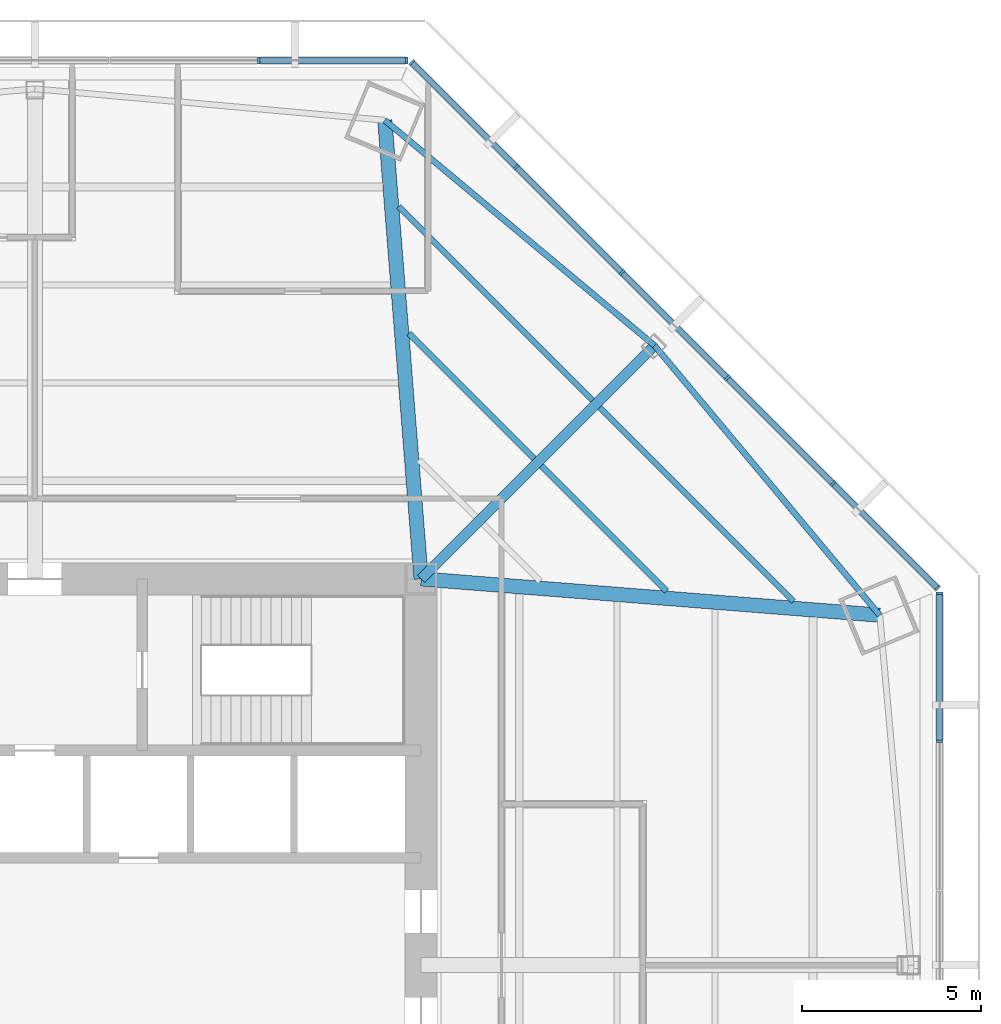
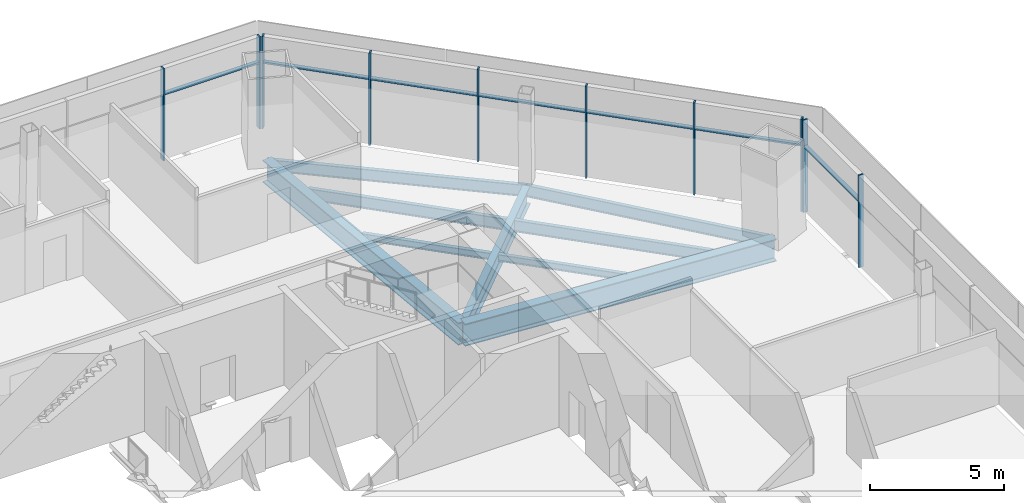
# One storey, part 7 of 16: 17 members, 9 beams, 3 elements without a shape of their own.
"""IFC4 building model written with IfcOpenShell, lengths in metres."""

import ifcopenshell
import ifcopenshell.guid

model = None  # the IFC model being written
_history = None  # IfcOwnerHistory: only IFC2X3 demands one
_inside = {}  # id of a spatial element -> (the spatial element, [elements in it])
_under = {}  # id of a project, library or spatial element -> (it, [spatial elements below it])
_declared = {}  # id of a project -> (the project, [libraries it declares])
_typed = {}  # id of a type object -> (the type object, [elements of that type])
_made_of = {}  # id of a material, layer set ... -> (it, [elements and type objects made of it])


def new_model(schema):
    """Start an empty IFC model of exactly this schema.

    Asked for "IFC4X3", IfcOpenShell would pick the latest addendum, in which some entities
    have other attributes; the version numbers below select the first issue.
    IFC2X3 requires an IfcOwnerHistory on every rooted entity: one is made here for all.
    """
    global model, _history
    if schema == "IFC4X3":
        model = ifcopenshell.file(schema_version=(4, 3, 0, 0))
    else:
        model = ifcopenshell.file(schema=schema)
    _inside.clear()
    _under.clear()
    _declared.clear()
    _typed.clear()
    _made_of.clear()
    _history = None
    if model.schema == "IFC2X3":
        org = make("IfcOrganization", Name="unknown")
        user = make(
            "IfcPersonAndOrganization",
            ThePerson=make("IfcPerson", FamilyName="unknown"),
            TheOrganization=org,
        )
        app = make(
            "IfcApplication",
            ApplicationDeveloper=org,
            Version="unknown",
            ApplicationFullName="unknown",
            ApplicationIdentifier="unknown",
        )
        _history = make(
            "IfcOwnerHistory",
            OwningUser=user,
            OwningApplication=app,
            ChangeAction="ADDED",
            CreationDate=0,
        )
    return model


def make(cls, **values):
    """One entity of the class cls with the attributes given. An attribute that is None is left unset."""
    return model.create_entity(
        cls, **{name: value for name, value in values.items() if value is not None}
    )


def rooted(cls, **values):
    """An entity with a GlobalId (a new one), such as an element, a storey or a relation."""
    return make(cls, GlobalId=ifcopenshell.guid.new(), OwnerHistory=_history, **values)


def si_unit(unit_type, name, prefix=None):
    """IfcSIUnit, for example si_unit("LENGTHUNIT", "METRE", prefix="MILLI")."""
    return make("IfcSIUnit", UnitType=unit_type, Prefix=prefix, Name=name)


def assignment(units):
    """IfcUnitAssignment: the units of a project."""
    return None if units is None else make("IfcUnitAssignment", Units=units)


def point(xyz):
    """IfcCartesianPoint."""
    return None if xyz is None else make("IfcCartesianPoint", Coordinates=xyz)


def direction(xyz):
    """IfcDirection."""
    return None if xyz is None else make("IfcDirection", DirectionRatios=xyz)


def frame(location, z_axis=None, x_axis=None):
    """IfcAxis2Placement3D, a coordinate frame: its origin and axes. An axis left out is left unset."""
    return make(
        "IfcAxis2Placement3D",
        Location=point(location),
        Axis=direction(z_axis),
        RefDirection=direction(x_axis),
    )


def frame_2d(location, x_axis=None):
    """IfcAxis2Placement2D, a coordinate frame in the plane: its origin and x axis."""
    return make(
        "IfcAxis2Placement2D", Location=point(location), RefDirection=direction(x_axis)
    )


def origin():
    """The frame at (0, 0, 0) with its axes left unset."""
    return frame((0.0, 0.0, 0.0))


def origin_2d():
    """The frame at (0, 0) in the plane with its x axis left unset."""
    return frame_2d((0.0, 0.0))


def place(relative_to, where):
    """IfcLocalPlacement: puts the frame where relative to a parent placement (None: the world)."""
    return make(
        "IfcLocalPlacement", PlacementRelTo=relative_to, RelativePlacement=where
    )


def context(
    kind, dimensions, precision=None, world=None, true_north=None, identifier=None
):
    """IfcGeometricRepresentationContext, for example the 3D "Model" context."""
    return make(
        "IfcGeometricRepresentationContext",
        ContextIdentifier=identifier,
        ContextType=kind,
        CoordinateSpaceDimension=dimensions,
        Precision=precision,
        WorldCoordinateSystem=world,
        TrueNorth=true_north,
    )


def subcontext(parent, identifier, kind, view, scale=None):
    """IfcGeometricRepresentationSubContext, for example "Body" below "Model"."""
    return make(
        "IfcGeometricRepresentationSubContext",
        ContextIdentifier=identifier,
        ContextType=kind,
        ParentContext=parent,
        TargetScale=scale,
        TargetView=view,
    )


def project(units=None, contexts=None):
    """IfcProject with its units and contexts."""
    return rooted(
        "IfcProject",
        Name="project",
        RepresentationContexts=contexts,
        UnitsInContext=assignment(units),
    )


def spatial(cls, under=None, at=None, **own):
    """A site, building, storey or space (cls), placed at a placement, below another one or the project."""
    s = rooted(cls, ObjectPlacement=at, **own)
    if under is not None:
        _under.setdefault(under.id(), (under, []))[1].append(s)
    return s


def profile(cls, at=None, kind="AREA", **sizes):
    """A parametric profile (cls). Its sizes go by their IFC names, for example OverallWidth=200.0."""
    return make(cls, ProfileType=kind, Position=at, **sizes)


def rectangle(**sizes):
    """IfcRectangleProfileDef."""
    return profile("IfcRectangleProfileDef", **sizes)


def i_section(**sizes):
    """IfcIShapeProfileDef."""
    return profile("IfcIShapeProfileDef", **sizes)


def extrude(swept, where, along, depth):
    """IfcExtrudedAreaSolid: the profile swept, set in the frame where, extruded along a direction by depth."""
    return make(
        "IfcExtrudedAreaSolid",
        SweptArea=swept,
        Position=where,
        ExtrudedDirection=direction(along),
        Depth=depth,
    )


def shape(context_of_items, identifier, shape_type, items):
    """IfcShapeRepresentation: the items that make up one representation, for example the "Body"."""
    return make(
        "IfcShapeRepresentation",
        ContextOfItems=context_of_items,
        RepresentationIdentifier=identifier,
        RepresentationType=shape_type,
        Items=items,
    )


def source(mapping_origin, context_of_items, identifier, shape_type, items):
    """IfcRepresentationMap: a shape defined once, which mapped items show again and again."""
    return make(
        "IfcRepresentationMap",
        MappingOrigin=mapping_origin,
        MappedRepresentation=shape(context_of_items, identifier, shape_type, items),
    )


def transform(
    local_origin,
    x_axis=None,
    y_axis=None,
    z_axis=None,
    scale=None,
    scale2=None,
    scale3=None,
    uniform=True,
):
    """IfcCartesianTransformationOperator3D, or its non-uniform kind. x_axis, y_axis, z_axis: its Axis1, 2, 3."""
    if uniform:
        return make(
            "IfcCartesianTransformationOperator3D",
            Axis1=direction(x_axis),
            Axis2=direction(y_axis),
            LocalOrigin=point(local_origin),
            Scale=scale,
            Axis3=direction(z_axis),
        )
    return make(
        "IfcCartesianTransformationOperator3DnonUniform",
        Axis1=direction(x_axis),
        Axis2=direction(y_axis),
        LocalOrigin=point(local_origin),
        Scale=scale,
        Axis3=direction(z_axis),
        Scale2=scale2,
        Scale3=scale3,
    )


def mapped(mapping_source, mapping_target):
    """IfcMappedItem: shows the shape of a source again, moved by a transform."""
    return make(
        "IfcMappedItem", MappingSource=mapping_source, MappingTarget=mapping_target
    )


def material(Name=None, Category=None):
    """IfcMaterial."""
    return make("IfcMaterial", Name=Name, Category=Category)


def material_profile(
    of_material, cross_section, Name=None, Category=None, Priority=None
):
    """IfcMaterialProfile: a cross section and its material."""
    return make(
        "IfcMaterialProfile",
        Name=Name,
        Material=of_material,
        Profile=cross_section,
        Priority=Priority,
        Category=Category,
    )


def profile_set(profiles, Name=None, composite=None):
    """IfcMaterialProfileSet."""
    return make(
        "IfcMaterialProfileSet",
        Name=Name,
        MaterialProfiles=profiles,
        CompositeProfile=composite,
    )


def made_of(thing, what):
    """Note that an element or type object is made of a material, layer set ...; save() writes the relation."""
    if what is not None:
        _made_of.setdefault(what.id(), (what, []))[1].append(thing)
    return thing


def type_object(cls, material=None, **own):
    """A type object (cls), such as IfcWallType, which elements share."""
    return made_of(rooted(cls, **own), material)


def type_shapes(of_type, sources):
    """Give a type object the sources (RepresentationMaps) that its elements show as mapped items."""
    of_type.RepresentationMaps = sources


def element(
    cls,
    number,
    at=None,
    inside=None,
    cuts=None,
    type_object=None,
    material=None,
    context=None,
    identifier="Body",
    shape_type=None,
    held_by="IfcProductDefinitionShape",
    body=None,
    shapes=None,
    **own,
):
    """One element of the class cls, such as IfcWall. Its Tag is "e" and its number.

    at: its placement. inside: the storey or other place that contains it. cuts: it is an
    opening in that element (IfcRelVoidsElement). A single representation is given by context,
    identifier, shape_type and body (its items); several are given by shapes. held_by: the class
    of the entity that holds the representations. save() writes the other relations.
    """
    e = rooted(cls, Tag="e%d" % number, ObjectPlacement=at, **own)
    if body is not None:
        shapes = [shape(context, identifier, shape_type, body)]
    if shapes is not None:
        e.Representation = make(held_by, Representations=shapes)
    if inside is not None:
        _inside.setdefault(inside.id(), (inside, []))[1].append(e)
    if cuts is not None:
        rooted(
            "IfcRelVoidsElement", RelatingBuildingElement=cuts, RelatedOpeningElement=e
        )
    if type_object is not None:
        _typed.setdefault(type_object.id(), (type_object, []))[1].append(e)
    return made_of(e, material)


def aggregate(whole, parts):
    """IfcRelAggregates: a whole, such as a stair, and the parts it consists of."""
    return rooted("IfcRelAggregates", RelatingObject=whole, RelatedObjects=parts)


def save(model, path):
    """Write the relations noted so far, then the file.

    IfcRelAggregates (storeys below a building ...), IfcRelContainedInSpatialStructure (elements
    in a storey), IfcRelDefinesByType, IfcRelAssociatesMaterial and IfcRelDeclares: one each for
    every whole, place, type object, material and project.
    """
    for whole, parts in _under.values():
        aggregate(whole, parts)
    for where, things in _inside.values():
        rooted(
            "IfcRelContainedInSpatialStructure",
            RelatedElements=things,
            RelatingStructure=where,
        )
    for kind, things in _typed.values():
        rooted("IfcRelDefinesByType", RelatedObjects=things, RelatingType=kind)
    for what, things in _made_of.values():
        rooted("IfcRelAssociatesMaterial", RelatedObjects=things, RelatingMaterial=what)
    for by, libraries in _declared.values():
        rooted("IfcRelDeclares", RelatingContext=by, RelatedDefinitions=libraries)
    model.write(path)


model = new_model("IFC4")

# Units and contexts
model_context = context("Model", 3, precision=1e-05, world=origin(), true_north=direction((0.0, 1.0)))
body_context = subcontext(model_context, "Body", "Model", "MODEL_VIEW")
ifc_project = project(units=[si_unit("LENGTHUNIT", "METRE"), si_unit("AREAUNIT", "SQUARE_METRE"), si_unit("VOLUMEUNIT", "CUBIC_METRE"), si_unit("PLANEANGLEUNIT", "RADIAN"), si_unit("MASSUNIT", "GRAM", prefix="KILO")], contexts=[model_context])

# Site, building, storey
site_placement = place(None, origin())
site = spatial("IfcSite", under=ifc_project, at=site_placement, CompositionType="ELEMENT")
building_placement = place(site_placement, origin())
building = spatial("IfcBuilding", under=site, at=building_placement, Name="Mashrafa Tower", CompositionType="ELEMENT")
storey_placement = place(building_placement, frame((0.0, 0.0, 96.0)))
storey = spatial("IfcBuildingStorey", under=building, at=storey_placement, Name="L21", CompositionType="ELEMENT", Elevation=96.0)

# Beams
ifc_material_1 = material(Name="Steel ASTM A992", Category="steel")
ifc_material_profile_1 = material_profile(ifc_material_1, i_section(OverallWidth=0.164794921875, OverallDepth=0.309814453125, WebThickness=0.005859375, FlangeThickness=0.009765625, FilletRadius=0.007568359375, at=origin_2d()), Name="W12X26")
ifc_profile_set_1 = profile_set([ifc_material_profile_1], Name="Steel ASTM A992")
beam_type_1 = type_object("IfcBeamType", Name="Beam W12X26", PredefinedType="BEAM", material=ifc_profile_set_1)
for number, where, z_axis, x_axis, name in (
    (1, (10.458251953125, 17.66845703125, -0.31982421875), (0.707131429789, -0.707082131725, 0.0), (0.707082131725, 0.707131429789, 0.0), "Floor beam L21 036"),
    (2, (14.166748046875, 13.960205078125, -0.31982421875), (0.707082131725, -0.707131429789, 0.0), (0.707131429789, 0.707082131725, 0.0), "Floor beam L21 045"),
):
    element("IfcBeam", number, at=place(storey_placement, frame(where, z_axis=z_axis, x_axis=x_axis)), inside=storey, type_object=beam_type_1, Name=name, PredefinedType="BEAM", context=body_context, shape_type="SweptSolid", body=[
        extrude(i_section(OverallWidth=0.164794921875, OverallDepth=0.309814453125, WebThickness=0.005859375, FlangeThickness=0.009765625, FilletRadius=0.007568359375, at=origin_2d()), origin(), (0.0, 0.0, 1.0), 4.952392578125),
    ])
ifc_material_2 = material(Name="Steel ASTM A992", Category="steel")
ifc_material_profile_2 = material_profile(ifc_material_2, i_section(OverallWidth=0.165771484375, OverallDepth=0.5283203125, WebThickness=0.009765625, FlangeThickness=0.013671875, FilletRadius=0.012939453125, at=origin_2d()), Name="W21X50")
ifc_profile_set_2 = profile_set([ifc_material_profile_2], Name="Steel ASTM A992")
beam_type_2 = type_object("IfcBeamType", Name="Beam W21X50", PredefinedType="BEAM", material=ifc_profile_set_2)
for number, where, z_axis, x_axis, name in (
    (3, (10.177978515625, 21.2119140625, -0.42919921875), (0.707122725149, -0.707090836864, 0.0), (0.707090836864, 0.707122725149, 0.0), "Floor beam L21 034"),
    (4, (15.79833984375, 15.591796875, -0.42919921875), (0.707090836864, -0.707122725149, 0.0), (0.707122725149, 0.707090836864, 0.0), "Floor beam L21 048"),
):
    element("IfcBeam", number, at=place(storey_placement, frame(where, z_axis=z_axis, x_axis=x_axis)), inside=storey, type_object=beam_type_2, Name=name, PredefinedType="BEAM", context=body_context, shape_type="SweptSolid", body=[
        extrude(i_section(OverallWidth=0.165771484375, OverallDepth=0.5283203125, WebThickness=0.009765625, FlangeThickness=0.013671875, FilletRadius=0.012939453125, at=origin_2d()), origin(), (0.0, 0.0, 1.0), 7.656005859375),
    ])
for number, where, z_axis, x_axis, name in (
    (5, (17.32666015625, 17.32666015625, -0.42919921875), (-0.76747736109, 0.641076048698, 0.0), (-0.641076048698, -0.76747736109, 0.0), "Spandrel beam L21 085"),
    (6, (23.62548828125, 9.785888671875, -0.42919921875), (-0.641076048698, 0.76747736109, 0.0), (-0.76747736109, -0.641076048698, 0.0), "Spandrel beam L21 087"),
):
    element("IfcBeam", number, at=place(storey_placement, frame(where, z_axis=z_axis, x_axis=x_axis)), inside=storey, type_object=beam_type_2, Name=name, PredefinedType="BEAM", context=body_context, shape_type="SweptSolid", body=[
        extrude(i_section(OverallWidth=0.165771484375, OverallDepth=0.5283203125, WebThickness=0.009765625, FlangeThickness=0.013671875, FilletRadius=0.012939453125, at=origin_2d()), origin(), (0.0, 0.0, 1.0), 9.825439453125),
    ])
ifc_material_3 = material(Name="Steel ASTM A992", Category="steel")
ifc_material_profile_3 = material_profile(ifc_material_3, i_section(OverallWidth=0.2919921875, OverallDepth=0.845703125, WebThickness=0.015380859375, FlangeThickness=0.0244140625, FilletRadius=0.017333984375, at=origin_2d()), Name="W33X141")
ifc_profile_set_3 = profile_set([ifc_material_profile_3], Name="Steel ASTM A992")
beam_type_3 = type_object("IfcBeamType", Name="Beam W33X141", PredefinedType="BEAM", material=ifc_profile_set_3)
beam_placement = place(storey_placement, frame((10.800048828125, 10.800048828125, -0.587890625), z_axis=(0.707106781187, 0.707106781187, 0.0), x_axis=(-0.707106781187, 0.707106781187, 0.0)))
element("IfcBeam", 7, at=beam_placement, inside=storey, type_object=beam_type_3, Name="Radial girder L21 071", PredefinedType="BEAM", context=body_context, shape_type="SweptSolid", body=[
    extrude(i_section(OverallWidth=0.2919921875, OverallDepth=0.845703125, WebThickness=0.015380859375, FlangeThickness=0.0244140625, FilletRadius=0.017333984375, at=origin_2d()), origin(), (0.0, 0.0, 1.0), 9.22998046875),
])
ifc_material_4 = material(Name="Steel ASTM A992", Category="steel")
ifc_material_profile_4 = material_profile(ifc_material_4, i_section(OverallWidth=0.4013671875, OverallDepth=1.010986328125, WebThickness=0.023681640625, FlangeThickness=0.0419921875, FilletRadius=0.02001953125, at=origin_2d()), Name="W40X297")
ifc_profile_set_4 = profile_set([ifc_material_profile_4], Name="Steel ASTM A992")
beam_type_4 = type_object("IfcBeamType", Name="Beam W40X297", PredefinedType="BEAM", material=ifc_profile_set_4)
for number, where, z_axis, x_axis, name in (
    (8, (10.800048828125, 10.800048828125, -0.67041015625), (-0.078828045218, 0.996888228081, 0.0), (-0.996888228081, -0.078828045218, 0.0), "Radial girder L21 070"),
    (9, (10.800048828125, 10.800048828125, -0.67041015625), (0.996888228081, -0.078828045218, 0.0), (0.078828045218, 0.996888228081, 0.0), "Radial girder L21 072"),
):
    element("IfcBeam", number, at=place(storey_placement, frame(where, z_axis=z_axis, x_axis=x_axis)), inside=storey, type_object=beam_type_4, Name=name, PredefinedType="BEAM", context=body_context, shape_type="SweptSolid", body=[
        extrude(i_section(OverallWidth=0.4013671875, OverallDepth=1.010986328125, WebThickness=0.023681640625, FlangeThickness=0.0419921875, FilletRadius=0.02001953125, at=origin_2d()), origin(), (0.0, 0.0, 1.0), 12.865478515625),
    ])

# Curtain wall, members
ifc_material_5 = material(Name="Unitised aluminium curtain wall", Category="aluminium")
curtain_wall_type = type_object("IfcCurtainWallType", Name="Office curtain wall, zone 1 CW-A 200 deep", PredefinedType="NOTDEFINED", material=ifc_material_5)
curtain_wall_1_placement = place(storey_placement, origin())
curtain_wall_1 = element("IfcCurtainWall", 10, at=curtain_wall_1_placement, inside=storey, type_object=curtain_wall_type, Name="Office curtain wall, zone 1 L21 east", PredefinedType="NOTDEFINED")
ifc_material_6 = material(Name="Extruded aluminium mullion", Category="aluminium")
ifc_material_profile_5 = material_profile(ifc_material_6, rectangle(XDim=0.199951171875, YDim=0.06494140625, at=origin_2d()), Name="Mullion 65x200")
ifc_profile_set_5 = profile_set([ifc_material_profile_5], Name="Extruded aluminium mullion")
member_type_1 = type_object("IfcMemberType", Name="Mullion CW-A 65 x 200", PredefinedType="MULLION", material=ifc_profile_set_5)
shared_shape_1 = source(origin(), body_context, "Body", "SweptSolid", [
    extrude(rectangle(XDim=0.199951171875, YDim=0.06494140625, at=origin_2d()), origin(), (0.0, 0.0, 1.0), 4.199951171875),
])
type_shapes(member_type_1, [shared_shape_1])
member_1_placement = place(storey_placement, frame((25.299072265625, 6.256591796875, 0.0), z_axis=(0.0, 0.0, 1.0), x_axis=(-1.0, 0.0, 0.0)))
member_1 = element("IfcMember", 11, at=member_1_placement, type_object=member_type_1, Name="CW-A mullion 5", PredefinedType="MULLION", context=body_context, shape_type="MappedRepresentation", body=[
    mapped(shared_shape_1, transform((0.0, 0.0, 0.0))),
])
member_2_placement = place(storey_placement, frame((25.299072265625, 10.395263671875, 0.0), z_axis=(0.0, 0.0, 1.0), x_axis=(-1.0, 0.0, 0.0)))
member_2 = element("IfcMember", 12, at=member_2_placement, type_object=member_type_1, Name="CW-A mullion 6", PredefinedType="MULLION", context=body_context, shape_type="MappedRepresentation", body=[
    mapped(shared_shape_1, transform((0.0, 0.0, 0.0))),
])

curtain_wall_2_placement = place(storey_placement, origin())
curtain_wall_2 = element("IfcCurtainWall", 13, at=curtain_wall_2_placement, inside=storey, type_object=curtain_wall_type, Name="Office curtain wall, zone 1 L21 north-east", PredefinedType="NOTDEFINED")
member_3_placement = place(storey_placement, frame((25.23974609375, 10.53857421875, 0.0), z_axis=(0.0, 0.0, 1.0), x_axis=(-0.707106781187, -0.707106781187, 0.0)))
member_3 = element("IfcMember", 14, at=member_3_placement, type_object=member_type_1, Name="CW-A mullion 1", PredefinedType="MULLION", context=body_context, shape_type="MappedRepresentation", body=[
    mapped(shared_shape_1, transform((0.0, 0.0, 0.0))),
])
member_4_placement = place(storey_placement, frame((22.313232421875, 13.465087890625, 0.0), z_axis=(0.0, 0.0, 1.0), x_axis=(-0.707106781187, -0.707106781187, 0.0)))
member_4 = element("IfcMember", 15, at=member_4_placement, type_object=member_type_1, Name="CW-A mullion 2", PredefinedType="MULLION", context=body_context, shape_type="MappedRepresentation", body=[
    mapped(shared_shape_1, transform((0.0, 0.0, 0.0))),
])
member_5_placement = place(storey_placement, frame((19.36376953125, 16.414306640625, 0.0), z_axis=(0.0, 0.0, 1.0), x_axis=(-0.707106781187, -0.707106781187, 0.0)))
member_5 = element("IfcMember", 16, at=member_5_placement, type_object=member_type_1, Name="CW-A mullion 3", PredefinedType="MULLION", context=body_context, shape_type="MappedRepresentation", body=[
    mapped(shared_shape_1, transform((0.0, 0.0, 0.0))),
])
member_6_placement = place(storey_placement, frame((16.414306640625, 19.36376953125, 0.0), z_axis=(0.0, 0.0, 1.0), x_axis=(-0.707106781187, -0.707106781187, 0.0)))
member_6 = element("IfcMember", 17, at=member_6_placement, type_object=member_type_1, Name="CW-A mullion 4", PredefinedType="MULLION", context=body_context, shape_type="MappedRepresentation", body=[
    mapped(shared_shape_1, transform((0.0, 0.0, 0.0))),
])
member_7_placement = place(storey_placement, frame((13.465087890625, 22.313232421875, 0.0), z_axis=(0.0, 0.0, 1.0), x_axis=(-0.707106781187, -0.707106781187, 0.0)))
member_7 = element("IfcMember", 18, at=member_7_placement, type_object=member_type_1, Name="CW-A mullion 5", PredefinedType="MULLION", context=body_context, shape_type="MappedRepresentation", body=[
    mapped(shared_shape_1, transform((0.0, 0.0, 0.0))),
])
member_8_placement = place(storey_placement, frame((10.53857421875, 25.23974609375, 0.0), z_axis=(0.0, 0.0, 1.0), x_axis=(-0.707106781187, -0.707106781187, 0.0)))
member_8 = element("IfcMember", 19, at=member_8_placement, type_object=member_type_1, Name="CW-A mullion 6", PredefinedType="MULLION", context=body_context, shape_type="MappedRepresentation", body=[
    mapped(shared_shape_1, transform((0.0, 0.0, 0.0))),
])

curtain_wall_3_placement = place(storey_placement, origin())
curtain_wall_3 = element("IfcCurtainWall", 20, at=curtain_wall_3_placement, inside=storey, type_object=curtain_wall_type, Name="Office curtain wall, zone 1 L21 north", PredefinedType="NOTDEFINED")
member_9_placement = place(storey_placement, frame((10.395263671875, 25.299072265625, 0.0), z_axis=(0.0, 0.0, 1.0), x_axis=(0.0, -1.0, 0.0)))
member_9 = element("IfcMember", 21, at=member_9_placement, type_object=member_type_1, Name="CW-A mullion 1", PredefinedType="MULLION", context=body_context, shape_type="MappedRepresentation", body=[
    mapped(shared_shape_1, transform((0.0, 0.0, 0.0))),
])
member_10_placement = place(storey_placement, frame((6.256591796875, 25.299072265625, 0.0), z_axis=(0.0, 0.0, 1.0), x_axis=(0.0, -1.0, 0.0)))
member_10 = element("IfcMember", 22, at=member_10_placement, type_object=member_type_1, Name="CW-A mullion 2", PredefinedType="MULLION", context=body_context, shape_type="MappedRepresentation", body=[
    mapped(shared_shape_1, transform((0.0, 0.0, 0.0))),
])

# Member
ifc_material_7 = material(Name="Extruded aluminium transom", Category="aluminium")
ifc_material_profile_6 = material_profile(ifc_material_7, rectangle(XDim=0.159912109375, YDim=0.080078125, at=origin_2d()), Name="Transom 80x160")
ifc_profile_set_6 = profile_set([ifc_material_profile_6], Name="Extruded aluminium transom")
member_type_2 = type_object("IfcMemberType", Name="Transom CW-A 80 x 160", PredefinedType="MULLION", material=ifc_profile_set_6)
shared_shape_2 = source(origin(), body_context, "Body", "SweptSolid", [
    extrude(rectangle(XDim=0.159912109375, YDim=0.080078125, at=origin_2d()), origin(), (0.0, 0.0, 1.0), 4.07373046875),
])
member_11_placement = place(storey_placement, frame((25.299072265625, 6.2890625, 3.0), z_axis=(0.0, 1.0, 0.0), x_axis=(-1.0, 0.0, 0.0)))
member_11 = element("IfcMember", 23, at=member_11_placement, type_object=member_type_2, Name="CW-A transom 5", PredefinedType="MULLION", context=body_context, shape_type="MappedRepresentation", body=[
    mapped(shared_shape_2, transform((0.0, 0.0, 0.0))),
])

aggregate(curtain_wall_1, [member_1, member_2, member_11])

member_12_placement = place(storey_placement, frame((25.216796875, 10.5615234375, 3.0), z_axis=(-0.707136746513, 0.707076814591, 0.0), x_axis=(-0.707076814591, -0.707136746513, 0.0)))
member_12 = element("IfcMember", 24, at=member_12_placement, type_object=member_type_2, Name="CW-A transom 1", PredefinedType="MULLION", context=body_context, shape_type="MappedRepresentation", body=[
    mapped(shared_shape_2, transform((0.0, 0.0, 0.0))),
])

member_13_placement = place(storey_placement, frame((13.44189453125, 22.336181640625, 3.0), z_axis=(-0.707076814591, 0.707136746513, 0.0), x_axis=(-0.707136746513, -0.707076814591, 0.0)))
member_13 = element("IfcMember", 25, at=member_13_placement, type_object=member_type_2, Name="CW-A transom 5", PredefinedType="MULLION", context=body_context, shape_type="MappedRepresentation", body=[
    mapped(shared_shape_2, transform((0.0, 0.0, 0.0))),
])

member_14_placement = place(storey_placement, frame((10.36279296875, 25.299072265625, 3.0), z_axis=(-1.0, 0.0, 0.0), x_axis=(0.0, -1.0, 0.0)))
member_14 = element("IfcMember", 26, at=member_14_placement, type_object=member_type_2, Name="CW-A transom 1", PredefinedType="MULLION", context=body_context, shape_type="MappedRepresentation", body=[
    mapped(shared_shape_2, transform((0.0, 0.0, 0.0))),
])

aggregate(curtain_wall_3, [member_9, member_10, member_14])

shared_shape_3 = source(origin(), body_context, "Body", "SweptSolid", [
    extrude(rectangle(XDim=0.159912109375, YDim=0.080078125, at=origin_2d()), origin(), (0.0, 0.0, 1.0), 4.106201171875),
])
type_shapes(member_type_2, [shared_shape_2, shared_shape_3])
member_15_placement = place(storey_placement, frame((22.290283203125, 13.488037109375, 3.0), z_axis=(-0.707136509667, 0.707077051456, 0.0), x_axis=(-0.707077051456, -0.707136509667, 0.0)))
member_15 = element("IfcMember", 27, at=member_15_placement, type_object=member_type_2, Name="CW-A transom 2", PredefinedType="MULLION", context=body_context, shape_type="MappedRepresentation", body=[
    mapped(shared_shape_3, transform((0.0, 0.0, 0.0))),
])

member_16_placement = place(storey_placement, frame((19.3408203125, 16.437255859375, 3.0), z_axis=(-0.707106781187, 0.707106781187, 0.0), x_axis=(-0.707106781187, -0.707106781187, 0.0)))
member_16 = element("IfcMember", 28, at=member_16_placement, type_object=member_type_2, Name="CW-A transom 3", PredefinedType="MULLION", context=body_context, shape_type="MappedRepresentation", body=[
    mapped(shared_shape_3, transform((0.0, 0.0, 0.0))),
])

member_17_placement = place(storey_placement, frame((16.391357421875, 19.38671875, 3.0), z_axis=(-0.707077051456, 0.707136509667, 0.0), x_axis=(-0.707136509667, -0.707077051456, 0.0)))
member_17 = element("IfcMember", 29, at=member_17_placement, type_object=member_type_2, Name="CW-A transom 4", PredefinedType="MULLION", context=body_context, shape_type="MappedRepresentation", body=[
    mapped(shared_shape_3, transform((0.0, 0.0, 0.0))),
])

aggregate(curtain_wall_2, [member_3, member_4, member_5, member_6, member_7, member_8, member_12, member_15, member_16, member_17, member_13])

save(model, "model.ifc")
